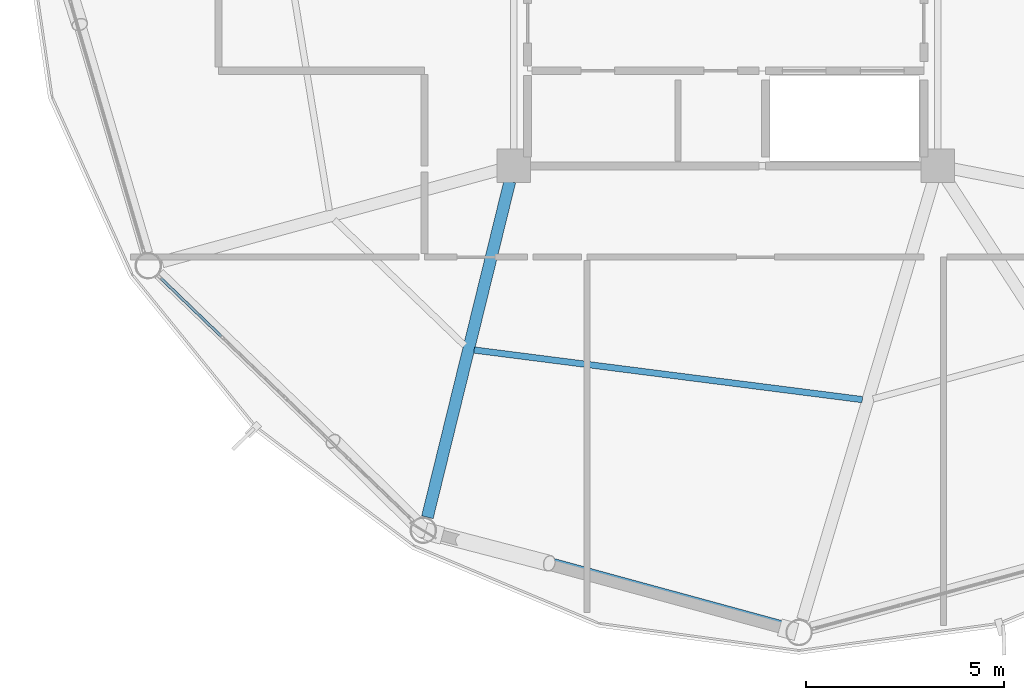
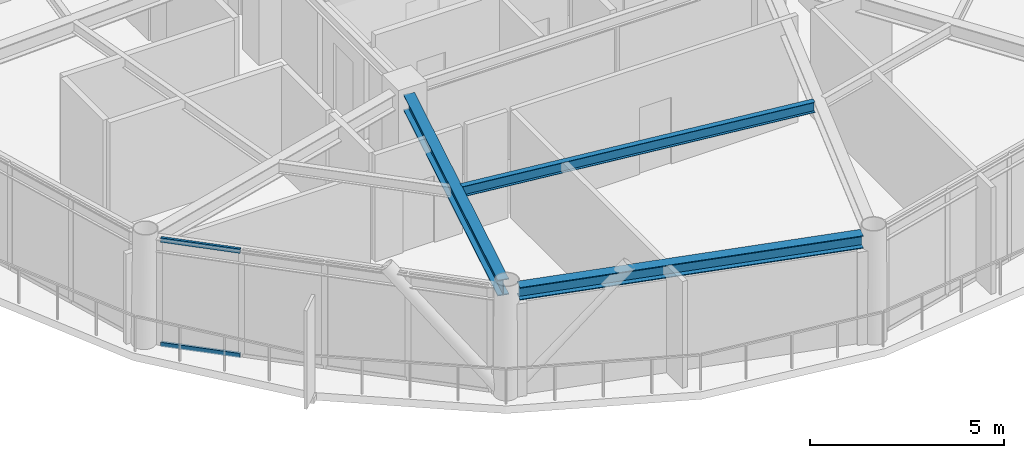
# One storey, part 3 of 28: 3 beams, 2 members, 1 element without a shape of its own.
"""IFC4 building model written with IfcOpenShell, lengths in metres."""

import ifcopenshell
import ifcopenshell.guid

model = None  # the IFC model being written
_history = None  # IfcOwnerHistory: only IFC2X3 demands one
_inside = {}  # id of a spatial element -> (the spatial element, [elements in it])
_under = {}  # id of a project, library or spatial element -> (it, [spatial elements below it])
_declared = {}  # id of a project -> (the project, [libraries it declares])
_typed = {}  # id of a type object -> (the type object, [elements of that type])
_made_of = {}  # id of a material, layer set ... -> (it, [elements and type objects made of it])


def new_model(schema):
    """Start an empty IFC model of exactly this schema.

    Asked for "IFC4X3", IfcOpenShell would pick the latest addendum, in which some entities
    have other attributes; the version numbers below select the first issue.
    IFC2X3 requires an IfcOwnerHistory on every rooted entity: one is made here for all.
    """
    global model, _history
    if schema == "IFC4X3":
        model = ifcopenshell.file(schema_version=(4, 3, 0, 0))
    else:
        model = ifcopenshell.file(schema=schema)
    _inside.clear()
    _under.clear()
    _declared.clear()
    _typed.clear()
    _made_of.clear()
    _history = None
    if model.schema == "IFC2X3":
        org = make("IfcOrganization", Name="unknown")
        user = make(
            "IfcPersonAndOrganization",
            ThePerson=make("IfcPerson", FamilyName="unknown"),
            TheOrganization=org,
        )
        app = make(
            "IfcApplication",
            ApplicationDeveloper=org,
            Version="unknown",
            ApplicationFullName="unknown",
            ApplicationIdentifier="unknown",
        )
        _history = make(
            "IfcOwnerHistory",
            OwningUser=user,
            OwningApplication=app,
            ChangeAction="ADDED",
            CreationDate=0,
        )
    return model


def make(cls, **values):
    """One entity of the class cls with the attributes given. An attribute that is None is left unset."""
    return model.create_entity(
        cls, **{name: value for name, value in values.items() if value is not None}
    )


def rooted(cls, **values):
    """An entity with a GlobalId (a new one), such as an element, a storey or a relation."""
    return make(cls, GlobalId=ifcopenshell.guid.new(), OwnerHistory=_history, **values)


def si_unit(unit_type, name, prefix=None):
    """IfcSIUnit, for example si_unit("LENGTHUNIT", "METRE", prefix="MILLI")."""
    return make("IfcSIUnit", UnitType=unit_type, Prefix=prefix, Name=name)


def assignment(units):
    """IfcUnitAssignment: the units of a project."""
    return None if units is None else make("IfcUnitAssignment", Units=units)


def point(xyz):
    """IfcCartesianPoint."""
    return None if xyz is None else make("IfcCartesianPoint", Coordinates=xyz)


def direction(xyz):
    """IfcDirection."""
    return None if xyz is None else make("IfcDirection", DirectionRatios=xyz)


def frame(location, z_axis=None, x_axis=None):
    """IfcAxis2Placement3D, a coordinate frame: its origin and axes. An axis left out is left unset."""
    return make(
        "IfcAxis2Placement3D",
        Location=point(location),
        Axis=direction(z_axis),
        RefDirection=direction(x_axis),
    )


def frame_2d(location, x_axis=None):
    """IfcAxis2Placement2D, a coordinate frame in the plane: its origin and x axis."""
    return make(
        "IfcAxis2Placement2D", Location=point(location), RefDirection=direction(x_axis)
    )


def origin():
    """The frame at (0, 0, 0) with its axes left unset."""
    return frame((0.0, 0.0, 0.0))


def origin_2d():
    """The frame at (0, 0) in the plane with its x axis left unset."""
    return frame_2d((0.0, 0.0))


def place(relative_to, where):
    """IfcLocalPlacement: puts the frame where relative to a parent placement (None: the world)."""
    return make(
        "IfcLocalPlacement", PlacementRelTo=relative_to, RelativePlacement=where
    )


def context(
    kind, dimensions, precision=None, world=None, true_north=None, identifier=None
):
    """IfcGeometricRepresentationContext, for example the 3D "Model" context."""
    return make(
        "IfcGeometricRepresentationContext",
        ContextIdentifier=identifier,
        ContextType=kind,
        CoordinateSpaceDimension=dimensions,
        Precision=precision,
        WorldCoordinateSystem=world,
        TrueNorth=true_north,
    )


def subcontext(parent, identifier, kind, view, scale=None):
    """IfcGeometricRepresentationSubContext, for example "Body" below "Model"."""
    return make(
        "IfcGeometricRepresentationSubContext",
        ContextIdentifier=identifier,
        ContextType=kind,
        ParentContext=parent,
        TargetScale=scale,
        TargetView=view,
    )


def project(units=None, contexts=None):
    """IfcProject with its units and contexts."""
    return rooted(
        "IfcProject",
        Name="project",
        RepresentationContexts=contexts,
        UnitsInContext=assignment(units),
    )


def spatial(cls, under=None, at=None, **own):
    """A site, building, storey or space (cls), placed at a placement, below another one or the project."""
    s = rooted(cls, ObjectPlacement=at, **own)
    if under is not None:
        _under.setdefault(under.id(), (under, []))[1].append(s)
    return s


def profile(cls, at=None, kind="AREA", **sizes):
    """A parametric profile (cls). Its sizes go by their IFC names, for example OverallWidth=200.0."""
    return make(cls, ProfileType=kind, Position=at, **sizes)


def hollow_rectangle(**sizes):
    """IfcRectangleHollowProfileDef."""
    return profile("IfcRectangleHollowProfileDef", **sizes)


def i_section(**sizes):
    """IfcIShapeProfileDef."""
    return profile("IfcIShapeProfileDef", **sizes)


def extrude(swept, where, along, depth):
    """IfcExtrudedAreaSolid: the profile swept, set in the frame where, extruded along a direction by depth."""
    return make(
        "IfcExtrudedAreaSolid",
        SweptArea=swept,
        Position=where,
        ExtrudedDirection=direction(along),
        Depth=depth,
    )


def shape(context_of_items, identifier, shape_type, items):
    """IfcShapeRepresentation: the items that make up one representation, for example the "Body"."""
    return make(
        "IfcShapeRepresentation",
        ContextOfItems=context_of_items,
        RepresentationIdentifier=identifier,
        RepresentationType=shape_type,
        Items=items,
    )


def material(Name=None, Category=None):
    """IfcMaterial."""
    return make("IfcMaterial", Name=Name, Category=Category)


def layer(
    of_material, thickness, ventilated=None, Name=None, Category=None, Priority=None
):
    """IfcMaterialLayer: one layer of a wall or slab, of a material (None: an air gap)."""
    return make(
        "IfcMaterialLayer",
        Material=of_material,
        LayerThickness=thickness,
        IsVentilated=ventilated,
        Name=Name,
        Category=Category,
        Priority=Priority,
    )


def layer_set(layers, Name=None):
    """IfcMaterialLayerSet."""
    return make("IfcMaterialLayerSet", MaterialLayers=layers, LayerSetName=Name)


def material_profile(
    of_material, cross_section, Name=None, Category=None, Priority=None
):
    """IfcMaterialProfile: a cross section and its material."""
    return make(
        "IfcMaterialProfile",
        Name=Name,
        Material=of_material,
        Profile=cross_section,
        Priority=Priority,
        Category=Category,
    )


def profile_set(profiles, Name=None, composite=None):
    """IfcMaterialProfileSet."""
    return make(
        "IfcMaterialProfileSet",
        Name=Name,
        MaterialProfiles=profiles,
        CompositeProfile=composite,
    )


def made_of(thing, what):
    """Note that an element or type object is made of a material, layer set ...; save() writes the relation."""
    if what is not None:
        _made_of.setdefault(what.id(), (what, []))[1].append(thing)
    return thing


def type_object(cls, material=None, **own):
    """A type object (cls), such as IfcWallType, which elements share."""
    return made_of(rooted(cls, **own), material)


def element(
    cls,
    number,
    at=None,
    inside=None,
    cuts=None,
    type_object=None,
    material=None,
    context=None,
    identifier="Body",
    shape_type=None,
    held_by="IfcProductDefinitionShape",
    body=None,
    shapes=None,
    **own,
):
    """One element of the class cls, such as IfcWall. Its Tag is "e" and its number.

    at: its placement. inside: the storey or other place that contains it. cuts: it is an
    opening in that element (IfcRelVoidsElement). A single representation is given by context,
    identifier, shape_type and body (its items); several are given by shapes. held_by: the class
    of the entity that holds the representations. save() writes the other relations.
    """
    e = rooted(cls, Tag="e%d" % number, ObjectPlacement=at, **own)
    if body is not None:
        shapes = [shape(context, identifier, shape_type, body)]
    if shapes is not None:
        e.Representation = make(held_by, Representations=shapes)
    if inside is not None:
        _inside.setdefault(inside.id(), (inside, []))[1].append(e)
    if cuts is not None:
        rooted(
            "IfcRelVoidsElement", RelatingBuildingElement=cuts, RelatedOpeningElement=e
        )
    if type_object is not None:
        _typed.setdefault(type_object.id(), (type_object, []))[1].append(e)
    return made_of(e, material)


def aggregate(whole, parts):
    """IfcRelAggregates: a whole, such as a stair, and the parts it consists of."""
    return rooted("IfcRelAggregates", RelatingObject=whole, RelatedObjects=parts)


def save(model, path):
    """Write the relations noted so far, then the file.

    IfcRelAggregates (storeys below a building ...), IfcRelContainedInSpatialStructure (elements
    in a storey), IfcRelDefinesByType, IfcRelAssociatesMaterial and IfcRelDeclares: one each for
    every whole, place, type object, material and project.
    """
    for whole, parts in _under.values():
        aggregate(whole, parts)
    for where, things in _inside.values():
        rooted(
            "IfcRelContainedInSpatialStructure",
            RelatedElements=things,
            RelatingStructure=where,
        )
    for kind, things in _typed.values():
        rooted("IfcRelDefinesByType", RelatedObjects=things, RelatingType=kind)
    for what, things in _made_of.values():
        rooted("IfcRelAssociatesMaterial", RelatedObjects=things, RelatingMaterial=what)
    for by, libraries in _declared.values():
        rooted("IfcRelDeclares", RelatingContext=by, RelatedDefinitions=libraries)
    model.write(path)


model = new_model("IFC4")

# Units and contexts
model_context = context("Model", 3, precision=1e-05, world=origin(), true_north=direction((0.0, 1.0)))
body_context = subcontext(model_context, "Body", "Model", "MODEL_VIEW")
ifc_project = project(units=[si_unit("LENGTHUNIT", "METRE"), si_unit("AREAUNIT", "SQUARE_METRE"), si_unit("VOLUMEUNIT", "CUBIC_METRE"), si_unit("PLANEANGLEUNIT", "RADIAN"), si_unit("MASSUNIT", "GRAM", prefix="KILO")], contexts=[model_context])

# Site, building, storey
site_placement = place(None, origin())
site = spatial("IfcSite", under=ifc_project, at=site_placement, CompositionType="ELEMENT")
building_placement = place(site_placement, origin())
building = spatial("IfcBuilding", under=site, at=building_placement, Name="Varnakorn Sky Granary", CompositionType="ELEMENT")
storey_placement = place(building_placement, frame((0.0, 0.0, 214.800048828125)))
storey = spatial("IfcBuildingStorey", under=building, at=storey_placement, Name="L54", CompositionType="ELEMENT", Elevation=214.800048828125)

# Beams
ifc_material_1 = material(Name="Steel S355JR", Category="steel")
ifc_material_profile_1 = material_profile(ifc_material_1, i_section(OverallWidth=0.300048828125, OverallDepth=0.5, WebThickness=0.014404296875, FlangeThickness=0.028076171875, at=origin_2d()), Name="HE 500 B")
ifc_profile_set_1 = profile_set([ifc_material_profile_1], Name="Steel S355JR")
beam_type_1 = type_object("IfcBeamType", Name="BM-RAD-Z4", PredefinedType="BEAM", material=ifc_profile_set_1)
beam_1_placement = place(storey_placement, frame((-2.446533203125, -6.993408203125, 3.10986328125), z_axis=(-0.238410334959, -0.97116451345, 0.0), x_axis=(0.97116451345, -0.238410334959, 0.0)))
element("IfcBeam", 1, at=beam_1_placement, inside=storey, type_object=beam_type_1, Name="Radial Floor Girder RG09 L54", PredefinedType="BEAM", context=body_context, shape_type="SweptSolid", body=[
    extrude(i_section(OverallWidth=0.300048828125, OverallDepth=0.5, WebThickness=0.014404296875, FlangeThickness=0.028076171875, at=origin_2d()), origin(), (0.0, 0.0, 1.0), 8.7216796875),
])
ifc_material_profile_2 = material_profile(ifc_material_1, i_section(OverallWidth=0.159912109375, OverallDepth=0.330078125, WebThickness=0.007568359375, FlangeThickness=0.011474609375, at=origin_2d()), Name="IPE 330")
ifc_profile_set_2 = profile_set([ifc_material_profile_2], Name="Steel S355JR")
beam_type_2 = type_object("IfcBeamType", Name="BM-SEC-Z4", PredefinedType="BEAM", material=ifc_profile_set_2)
beam_2_placement = place(storey_placement, frame((-3.347412109375, -11.24609375, 3.195068359375), z_axis=(0.991940725002, -0.126702794298, 0.0), x_axis=(0.126702794298, 0.991940725002, 0.0)))
element("IfcBeam", 2, at=beam_2_placement, inside=storey, type_object=beam_type_2, Name="Secondary Floor Chord Beam MSB09 L54", PredefinedType="BEAM", context=body_context, shape_type="SweptSolid", body=[
    extrude(i_section(OverallWidth=0.159912109375, OverallDepth=0.330078125, WebThickness=0.007568359375, FlangeThickness=0.011474609375, at=origin_2d()), origin(), (0.0, 0.0, 1.0), 9.875244140625),
])
ifc_material_profile_3 = material_profile(ifc_material_1, i_section(OverallWidth=0.300048828125, OverallDepth=0.39990234375, WebThickness=0.013427734375, FlangeThickness=0.02392578125, at=origin_2d()), Name="HE 400 B")
ifc_profile_set_3 = profile_set([ifc_material_profile_3], Name="Steel S355JR")
beam_type_3 = type_object("IfcBeamType", Name="BM-SPD-Z4", PredefinedType="SPANDREL", material=ifc_profile_set_3)
beam_3_placement = place(storey_placement, frame((-4.297119140625, -15.852294921875, 3.159912109375), z_axis=(0.964843073533, -0.262826641449, 0.0), x_axis=(0.262826641449, 0.964843073533, 0.0)))
element("IfcBeam", 3, at=beam_3_placement, inside=storey, type_object=beam_type_3, Name="Perimeter Spandrel Ring Beam RB09 L54", PredefinedType="SPANDREL", context=body_context, shape_type="SweptSolid", body=[
    extrude(i_section(OverallWidth=0.300048828125, OverallDepth=0.39990234375, WebThickness=0.013427734375, FlangeThickness=0.02392578125, at=origin_2d()), origin(), (0.0, 0.0, 1.0), 9.16552734375),
])

# Curtain wall, members
ifc_material_2 = material(Name="Anodised Bronze Aluminium Alloy 6063-T6", Category="aluminium")
ifc_layer = layer(ifc_material_2, 0.169921875, Name="Anodised Bronze Aluminium Alloy 6063-T6")
ifc_layer_set = layer_set([ifc_layer], Name="Anodised Bronze Aluminium Alloy 6063-T6")
curtain_wall_type = type_object("IfcCurtainWallType", Name="CW-LAB-1", PredefinedType="USERDEFINED", material=ifc_layer_set)
curtain_wall_placement = place(storey_placement, origin())
curtain_wall = element("IfcCurtainWall", 4, at=curtain_wall_placement, inside=storey, type_object=curtain_wall_type, Name="Unitised Curtain Wall CW5 CW-L54-B08", ObjectType="CURTAIN WALL", PredefinedType="USERDEFINED")
ifc_material_profile_4 = material_profile(ifc_material_2, hollow_rectangle(XDim=0.070068359375, YDim=0.139892578125, WallThickness=0.00341796875, at=origin_2d()), Name="ALU TRAN 70x140")
ifc_profile_set_4 = profile_set([ifc_material_profile_4], Name="Anodised Bronze Aluminium Alloy 6063-T6")
member_type = type_object("IfcMemberType", Name="CW-LAB-1-TRAN", PredefinedType="USERDEFINED", material=ifc_profile_set_4)
member_1_placement = place(storey_placement, frame((-9.7255859375, -10.90283203125, 0.034912109375), z_axis=(-0.720762102914, 0.693182509158, 0.0), x_axis=(-0.693182509158, -0.720762102914, 0.0)))
member_1 = element("IfcMember", 5, at=member_1_placement, type_object=member_type, Name="CW5 transom 4.1", ObjectType="TRANSOM", PredefinedType="USERDEFINED", context=body_context, shape_type="SweptSolid", body=[
    extrude(hollow_rectangle(XDim=0.070068359375, YDim=0.139892578125, WallThickness=0.00341796875, at=origin_2d()), origin(), (0.0, 0.0, 1.0), 2.11572265625),
])
member_2_placement = place(storey_placement, frame((-9.7255859375, -10.90283203125, 3.324951171875), z_axis=(-0.720762102914, 0.693182509158, 0.0), x_axis=(-0.693182509158, -0.720762102914, 0.0)))
member_2 = element("IfcMember", 6, at=member_2_placement, type_object=member_type, Name="CW5 transom 4.2", ObjectType="TRANSOM", PredefinedType="USERDEFINED", context=body_context, shape_type="SweptSolid", body=[
    extrude(hollow_rectangle(XDim=0.070068359375, YDim=0.139892578125, WallThickness=0.00341796875, at=origin_2d()), origin(), (0.0, 0.0, 1.0), 2.11572265625),
])
aggregate(curtain_wall, [member_1, member_2])

save(model, "model.ifc")
